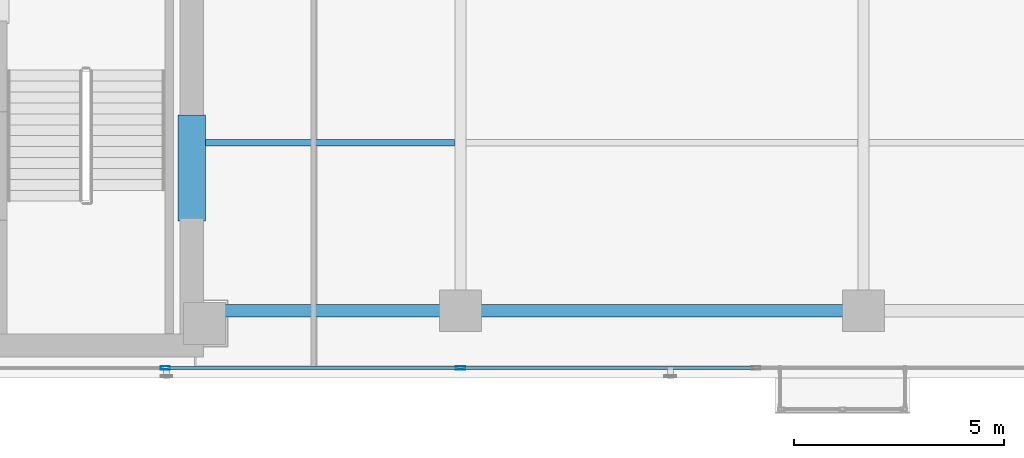
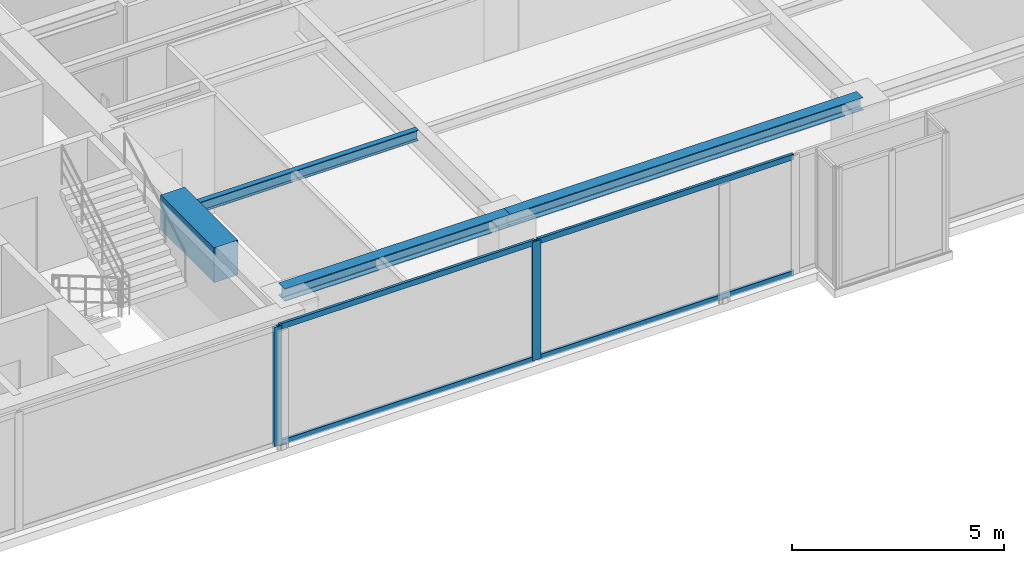
# One storey, part 4 of 24: 6 members, 4 beams, 1 element without a shape of its own.
"""IFC4 building model written with IfcOpenShell, lengths in metres."""

from ifc_helpers import new_model, si_unit, direction, frame, origin, origin_with_axes, origin_2d, place, context, subcontext, project, spatial, rectangle, hollow_rectangle, i_section, extrude, source, transform, mapped, material, layer, layer_set, material_profile, profile_set, type_object, element, aggregate, save


model = new_model("IFC4")

# Units and contexts
model_context = context("Model", 3, precision=1e-05, world=origin(), true_north=direction((0.0, 1.0)))
body_context = subcontext(model_context, "Body", "Model", "MODEL_VIEW")
ifc_project = project(units=[si_unit("LENGTHUNIT", "METRE"), si_unit("AREAUNIT", "SQUARE_METRE"), si_unit("VOLUMEUNIT", "CUBIC_METRE"), si_unit("PLANEANGLEUNIT", "RADIAN"), si_unit("MASSUNIT", "GRAM", prefix="KILO")], contexts=[model_context])

# Site, building, storey
site_placement = place(None, origin())
site = spatial("IfcSite", under=ifc_project, at=site_placement, CompositionType="ELEMENT")
building_placement = place(site_placement, origin())
building = spatial("IfcBuilding", under=site, at=building_placement, Name="Kolvaren Waterfront Exchange", CompositionType="ELEMENT")
storey_placement = place(building_placement, frame((0.0, 0.0, 253.89990234375)))
storey = spatial("IfcBuildingStorey", under=building, at=storey_placement, Name="L65", CompositionType="ELEMENT", Elevation=253.89990234375)

# Beams
ifc_material_1 = material(Name="Steel S355", Category="steel")
ifc_material_profile_1 = material_profile(ifc_material_1, i_section(OverallWidth=0.300048828125, OverallDepth=0.360107421875, WebThickness=0.012451171875, FlangeThickness=0.0224609375, FilletRadius=0.027099609375, at=origin_2d()), Name="HEB360")
ifc_profile_set_1 = profile_set([ifc_material_profile_1], Name="Steel S355")
beam_type_1 = type_object("IfcBeamType", Name="STR-BM-HEB360", PredefinedType="SPANDREL", material=ifc_profile_set_1)
beam_1_placement = place(storey_placement, frame((21.074951171875, 5.199951171875, 3.239990234375), z_axis=(1.0, 0.0, 0.0), x_axis=(0.0, 1.0, 0.0)))
element("IfcBeam", 1, at=beam_1_placement, inside=storey, type_object=beam_type_1, Name="L65 east-arm spandrel S1", PredefinedType="SPANDREL", context=body_context, shape_type="SweptSolid", body=[
    extrude(i_section(OverallWidth=0.300048828125, OverallDepth=0.360107421875, WebThickness=0.012451171875, FlangeThickness=0.0224609375, FilletRadius=0.027099609375, at=origin_2d()), origin(), (0.0, 0.0, 1.0), 6.125),
])
beam_2_placement = place(storey_placement, frame((27.199951171875, 5.199951171875, 3.239990234375), z_axis=(1.0, 0.0, 0.0), x_axis=(0.0, 1.0, 0.0)))
element("IfcBeam", 2, at=beam_2_placement, inside=storey, type_object=beam_type_1, Name="L65 east-arm spandrel S2", PredefinedType="SPANDREL", context=body_context, shape_type="SweptSolid", body=[
    extrude(i_section(OverallWidth=0.300048828125, OverallDepth=0.360107421875, WebThickness=0.012451171875, FlangeThickness=0.0224609375, FilletRadius=0.027099609375, at=origin_2d()), origin(), (0.0, 0.0, 1.0), 9.60009765625),
])
ifc_material_profile_2 = material_profile(ifc_material_1, i_section(OverallWidth=0.14990234375, OverallDepth=0.300048828125, WebThickness=0.007080078125, FlangeThickness=0.0107421875, FilletRadius=0.014892578125, at=origin_2d()), Name="IPE300")
ifc_profile_set_2 = profile_set([ifc_material_profile_2], Name="Steel S355")
beam_type_2 = type_object("IfcBeamType", Name="STR-BM-IPE300", PredefinedType="JOIST", material=ifc_profile_set_2)
beam_3_placement = place(storey_placement, frame((21.10009765625, 9.199951171875, 3.27001953125), z_axis=(1.0, 0.0, 0.0), x_axis=(0.0, 1.0, 0.0)))
element("IfcBeam", 3, at=beam_3_placement, inside=storey, type_object=beam_type_2, Name="L65 east-arm composite joist 1B", PredefinedType="JOIST", context=body_context, shape_type="SweptSolid", body=[
    extrude(i_section(OverallWidth=0.14990234375, OverallDepth=0.300048828125, WebThickness=0.007080078125, FlangeThickness=0.0107421875, FilletRadius=0.014892578125, at=origin_2d()), origin(), (0.0, 0.0, 1.0), 5.96435546875),
])
ifc_material_2 = material(Name="Concrete C60/75", Category="concrete")
ifc_material_profile_3 = material_profile(ifc_material_2, rectangle(XDim=0.64990234375, YDim=1.0, at=origin_2d()), Name="RC-CB-1000x650")
ifc_profile_set_3 = profile_set([ifc_material_profile_3], Name="Concrete C60/75")
beam_type_3 = type_object("IfcBeamType", Name="STR-CB-1000", PredefinedType="SPANDREL", material=ifc_profile_set_3)
beam_4_placement = place(storey_placement, frame((20.800048828125, 7.340087890625, 2.920166015625), z_axis=(0.0, 1.0, 0.0), x_axis=(-1.0, 0.0, 0.0)))
element("IfcBeam", 4, at=beam_4_placement, inside=storey, type_object=beam_type_3, Name="L65 core coupling beam 1", PredefinedType="SPANDREL", context=body_context, shape_type="SweptSolid", body=[
    extrude(rectangle(XDim=0.64990234375, YDim=1.0, at=origin_2d()), origin(), (0.0, 0.0, 1.0), 2.52001953125),
])

# Curtain wall, members
ifc_material_3 = material(Name="Anodised bronze aluminium 6063-T6", Category="aluminium")
ifc_layer = layer(ifc_material_3, 0.219970703125, Name="Anodised bronze aluminium 6063-T6")
ifc_layer_set = layer_set([ifc_layer], Name="Anodised bronze aluminium 6063-T6")
curtain_wall_type = type_object("IfcCurtainWallType", Name="ARC-CW-SYS1", PredefinedType="USERDEFINED", material=ifc_layer_set)
curtain_wall_placement = place(storey_placement, origin())
curtain_wall = element("IfcCurtainWall", 5, at=curtain_wall_placement, inside=storey, type_object=curtain_wall_type, Name="L65 stick curtain wall CW1 (CW-L65-S)", ObjectType="STICK CURTAIN WALL", PredefinedType="USERDEFINED")
ifc_material_4 = material(Name="Anodised aluminium 6063-T6", Category="aluminium")
ifc_material_profile_4 = material_profile(ifc_material_4, hollow_rectangle(XDim=0.074951171875, YDim=0.159912109375, WallThickness=0.00439453125, at=origin_2d()), Name="ALU-TRN-160x75x4.5")
ifc_profile_set_4 = profile_set([ifc_material_profile_4], Name="Anodised aluminium 6063-T6")
member_type_1 = type_object("IfcMemberType", Name="ARC-CWT-160", PredefinedType="USERDEFINED", material=ifc_profile_set_4)
shared_shape_1 = source(origin_with_axes(), body_context, "Body", "SweptSolid", [
    extrude(hollow_rectangle(XDim=0.074951171875, YDim=0.159912109375, WallThickness=0.00439453125, at=origin_2d()), origin(), (0.0, 0.0, 1.0), 6.953369140625),
])
member_1_placement = place(storey_placement, frame((27.239990234375, 3.840087890625, 0.03759765625), z_axis=(1.0, 0.0, 0.0), x_axis=(0.0, 1.0, 0.0)))
member_1 = element("IfcMember", 6, at=member_1_placement, type_object=member_type_1, Name="CW1 transom 4.1", ObjectType="TRANSOM", PredefinedType="USERDEFINED", context=body_context, shape_type="MappedRepresentation", body=[
    mapped(shared_shape_1, transform((0.0, 0.0, 0.0), x_axis=(1.0, 0.0, 0.0), y_axis=(0.0, 1.0, 0.0), z_axis=(0.0, 0.0, 1.0), scale=1.0)),
])
member_2_placement = place(storey_placement, frame((27.239990234375, 3.840087890625, 3.382568359375), z_axis=(1.0, 0.0, 0.0), x_axis=(0.0, 1.0, 0.0)))
member_2 = element("IfcMember", 7, at=member_2_placement, type_object=member_type_1, Name="CW1 transom 4.2", ObjectType="TRANSOM", PredefinedType="USERDEFINED", context=body_context, shape_type="MappedRepresentation", body=[
    mapped(shared_shape_1, transform((0.0, 0.0, 0.0), x_axis=(1.0, 0.0, 0.0), y_axis=(0.0, 1.0, 0.0), z_axis=(0.0, 0.0, 1.0), scale=1.0)),
])
shared_shape_2 = source(origin_with_axes(), body_context, "Body", "SweptSolid", [
    extrude(hollow_rectangle(XDim=0.074951171875, YDim=0.159912109375, WallThickness=0.00439453125, at=origin_2d()), origin(), (0.0, 0.0, 1.0), 6.953125),
])
member_3_placement = place(storey_placement, frame((20.206787109375, 3.840087890625, 0.03759765625), z_axis=(1.0, 0.0, 0.0), x_axis=(0.0, 1.0, 0.0)))
member_3 = element("IfcMember", 8, at=member_3_placement, type_object=member_type_1, Name="CW1 transom 3.1", ObjectType="TRANSOM", PredefinedType="USERDEFINED", context=body_context, shape_type="MappedRepresentation", body=[
    mapped(shared_shape_2, transform((0.0, 0.0, 0.0), x_axis=(1.0, 0.0, 0.0), y_axis=(0.0, 1.0, 0.0), z_axis=(0.0, 0.0, 1.0), scale=1.0)),
])
member_4_placement = place(storey_placement, frame((20.206787109375, 3.840087890625, 3.382568359375), z_axis=(1.0, 0.0, 0.0), x_axis=(0.0, 1.0, 0.0)))
member_4 = element("IfcMember", 9, at=member_4_placement, type_object=member_type_1, Name="CW1 transom 3.2", ObjectType="TRANSOM", PredefinedType="USERDEFINED", context=body_context, shape_type="MappedRepresentation", body=[
    mapped(shared_shape_2, transform((0.0, 0.0, 0.0), x_axis=(1.0, 0.0, 0.0), y_axis=(0.0, 1.0, 0.0), z_axis=(0.0, 0.0, 1.0), scale=1.0)),
])
ifc_material_profile_5 = material_profile(ifc_material_4, hollow_rectangle(XDim=0.080078125, YDim=0.219970703125, WallThickness=0.0048828125, at=origin_2d()), Name="ALU-MUL-220x80x5")
ifc_profile_set_5 = profile_set([ifc_material_profile_5], Name="Anodised aluminium 6063-T6")
member_type_2 = type_object("IfcMemberType", Name="ARC-CWM-220", PredefinedType="MULLION", material=ifc_profile_set_5)
shared_shape_3 = source(origin_with_axes(), body_context, "Body", "SweptSolid", [
    extrude(hollow_rectangle(XDim=0.080078125, YDim=0.219970703125, WallThickness=0.0048828125, at=origin_2d()), origin(), (0.0, 0.0, 1.0), 3.420166015625),
])
member_5_placement = place(storey_placement, frame((20.166748046875, 3.840087890625, 0.0), z_axis=(0.0, 0.0, 1.0), x_axis=(0.0, 1.0, 0.0)))
member_5 = element("IfcMember", 10, at=member_5_placement, type_object=member_type_2, Name="CW1 mullion 3", PredefinedType="MULLION", context=body_context, shape_type="MappedRepresentation", body=[
    mapped(shared_shape_3, transform((0.0, 0.0, 0.0), x_axis=(1.0, 0.0, 0.0), y_axis=(0.0, 1.0, 0.0), z_axis=(0.0, 0.0, 1.0), scale=1.0)),
])
member_6_placement = place(storey_placement, frame((27.199951171875, 3.840087890625, 0.0), z_axis=(0.0, 0.0, 1.0), x_axis=(0.0, 1.0, 0.0)))
member_6 = element("IfcMember", 11, at=member_6_placement, type_object=member_type_2, Name="CW1 mullion 4", PredefinedType="MULLION", context=body_context, shape_type="MappedRepresentation", body=[
    mapped(shared_shape_3, transform((0.0, 0.0, 0.0), x_axis=(1.0, 0.0, 0.0), y_axis=(0.0, 1.0, 0.0), z_axis=(0.0, 0.0, 1.0), scale=1.0)),
])
aggregate(curtain_wall, [member_5, member_6, member_3, member_4, member_1, member_2])

save(model, "model.ifc")
